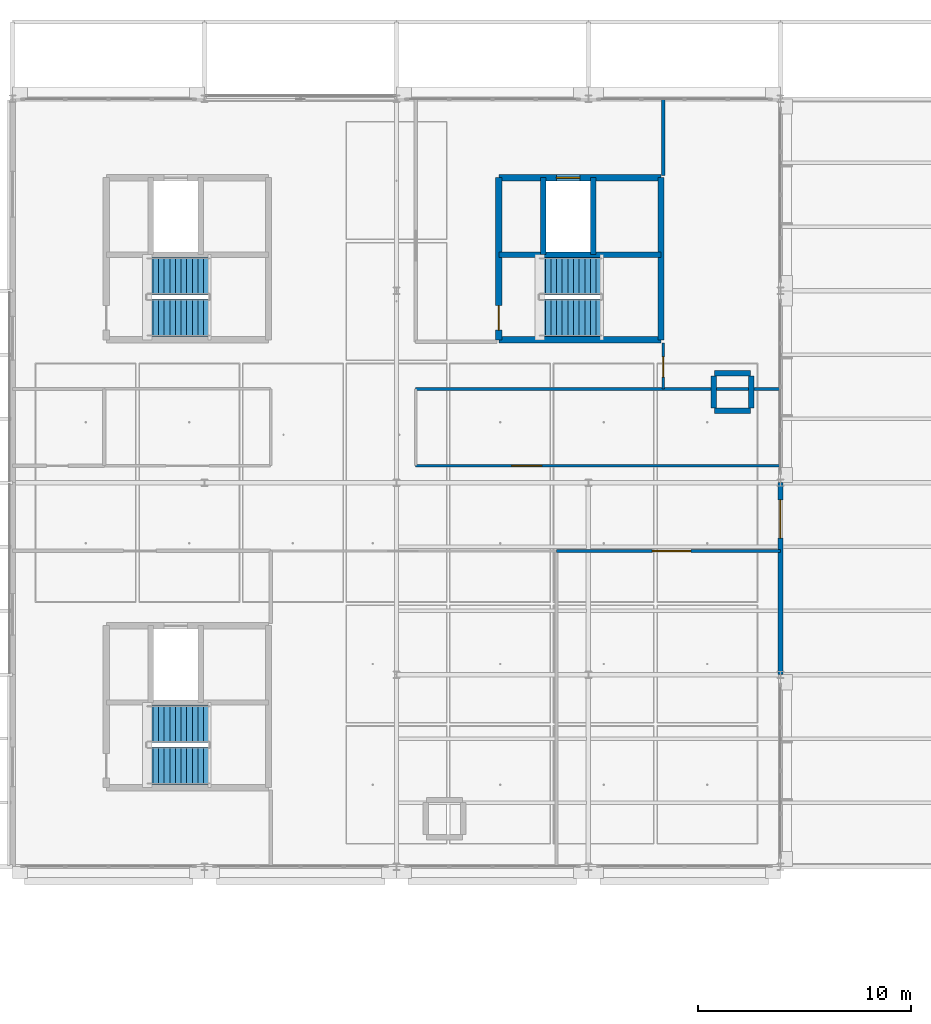
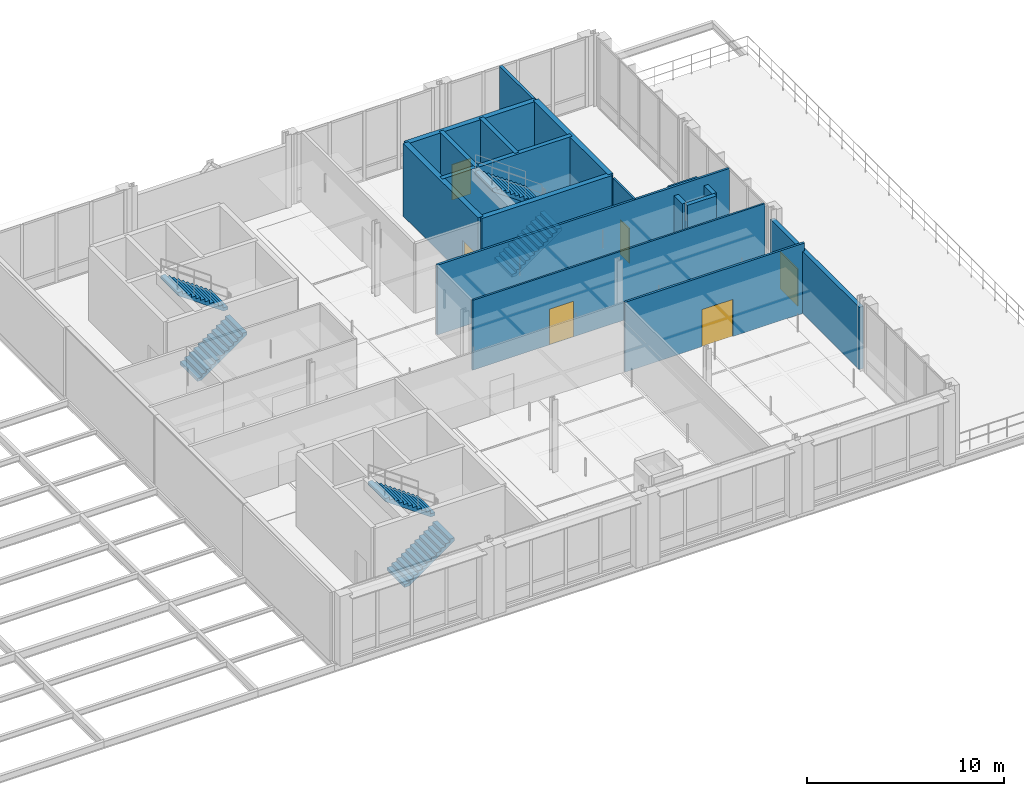
# One storey, part 46 of 66: 17 walls, 6 doors, 6 stair flights, 6 openings, 3 elements without a shape of their own.
"""IFC4 building model written with IfcOpenShell, lengths in metres."""

from ifc_helpers import new_model, si_unit, direction, frame, frame_2d, origin, place, context, subcontext, project, spatial, polyline, rectangle, outline, extrude, material, layer, layer_set, type_object, element, fill, aggregate, save


model = new_model("IFC4")

# Units and contexts
model_context = context("Model", 3, precision=1e-05, world=origin(), true_north=direction((0.0, 1.0)))
body_context = subcontext(model_context, "Body", "Model", "MODEL_VIEW")
ifc_project = project(units=[si_unit("LENGTHUNIT", "METRE"), si_unit("AREAUNIT", "SQUARE_METRE"), si_unit("VOLUMEUNIT", "CUBIC_METRE"), si_unit("PLANEANGLEUNIT", "RADIAN"), si_unit("MASSUNIT", "GRAM", prefix="KILO"), si_unit("THERMODYNAMICTEMPERATUREUNIT", "KELVIN"), si_unit("POWERUNIT", "WATT")], contexts=[model_context])

# Site, building, storey
site_placement = place(None, origin())
site = spatial("IfcSite", under=ifc_project, at=site_placement, CompositionType="ELEMENT")
building_placement = place(site_placement, origin())
building = spatial("IfcBuilding", under=site, at=building_placement, Name="Tallowbark Science Centre", CompositionType="ELEMENT")
storey_placement = place(building_placement, frame((0.0, 0.0, 18.89990234375)))
storey = spatial("IfcBuildingStorey", under=building, at=storey_placement, Name="L04", CompositionType="ELEMENT", Elevation=18.89990234375)

# Wall, opening, door
ifc_material_1 = material(Name="Insulated Precast Concrete Panel Grade N40 (40 MPa)", Category="concrete")
ifc_layer_1 = layer(ifc_material_1, 0.25)
ifc_layer_set_1 = layer_set([ifc_layer_1], Name="Insulated Precast Concrete Panel Grade N40 (40 MPa)")
wall_type_1 = type_object("IfcWallType", Name="EWL-PRC-250", PredefinedType="STANDARD", material=ifc_layer_set_1)
wall_1_placement = place(storey_placement, frame((148.5, 81.0, 0.0), z_axis=(0.0, 0.0, 1.0), x_axis=(0.0, 1.0, 0.0)))
wall_1 = element("IfcWall", 1, at=wall_1_placement, inside=storey, type_object=wall_type_1, Name="Exterior Wall OBS4-E-TER", PredefinedType="STANDARD", context=body_context, shape_type="SweptSolid", body=[
    extrude(rectangle(XDim=9.0, YDim=0.25, at=frame_2d((4.5, 0.0))), origin(), (0.0, 0.0, 1.0), 3.84619140625),
])
opening_1_placement = place(wall_1_placement, frame((6.39990234375, 0.0, 0.0)))
opening_1 = element("IfcOpeningElement", 2, at=opening_1_placement, cuts=wall_1, Name="Opening ED-04", PredefinedType="OPENING", context=body_context, shape_type="SweptSolid", body=[
    extrude(rectangle(XDim=1.800048828125, YDim=2.300048828125, at=frame_2d((0.89990234375, 1.14990234375))), frame((0.0, 0.135009765625, 0.0), z_axis=(0.0, -1.0, 0.0), x_axis=(1.0, 0.0, 0.0)), (0.0, 0.0, 1.0), 0.27001953125),
])
ifc_material_2 = material(Name="Thermally Broken Glazed Aluminium Frame", Category="aluminium")
door_type_1 = type_object("IfcDoorType", Name="EDR-TER-180", OperationType="DOUBLE_DOOR_SINGLE_SWING", PredefinedType="DOOR", material=ifc_material_2)
door_1_placement = place(opening_1_placement, origin())
door_1 = element("IfcDoor", 3, at=door_1_placement, inside=storey, type_object=door_type_1, Name="Exterior Door EDR-L04-036", OperationType="DOUBLE_DOOR_SINGLE_SWING", OverallHeight=2.300048828125, OverallWidth=1.800048828125, PredefinedType="DOOR", context=body_context, shape_type="SweptSolid", body=[
    extrude(rectangle(XDim=1.800048828125, YDim=2.300048828125, at=frame_2d((0.89990234375, 1.14990234375))), frame((0.0, 0.02490234375, 0.0), z_axis=(0.0, -1.0, 0.0), x_axis=(1.0, 0.0, 0.0)), (0.0, 0.0, 1.0), 0.050048828125),
])
fill(opening_1, door_1)

ifc_material_3 = material(Name="116 mm Acoustic Steel Stud and 16 mm Fire-Rated Plasterboard", Category="steel")
ifc_layer_2 = layer(ifc_material_3, 0.115966796875)
ifc_layer_set_2 = layer_set([ifc_layer_2], Name="116 mm Acoustic Steel Stud and 16 mm Fire-Rated Plasterboard")
wall_type_2 = type_object("IfcWallType", Name="PTW-116", PredefinedType="PARTITIONING", material=ifc_layer_set_2)
wall_2_placement = place(storey_placement, frame((143.0, 94.39990234375, 0.0), z_axis=(0.0, 0.0, 1.0), x_axis=(0.0, 1.0, 0.0)))
wall_2 = element("IfcWall", 4, at=wall_2_placement, inside=storey, type_object=wall_type_2, Name="Interior Partition PTW-L04-0303", PredefinedType="PARTITIONING", context=body_context, shape_type="SweptSolid", body=[
    extrude(rectangle(XDim=2.150146484375, YDim=0.115966796875, at=frame_2d((1.0751953125, 0.0))), origin(), (0.0, 0.0, 1.0), 4.320068359375),
])
opening_2_placement = place(wall_2_placement, frame((0.550048828125, 0.0, 0.0)))
opening_2 = element("IfcOpeningElement", 5, at=opening_2_placement, cuts=wall_2, Name="Opening ID-04", PredefinedType="OPENING", context=body_context, shape_type="SweptSolid", body=[
    extrude(rectangle(XDim=0.949951171875, YDim=2.14990234375, at=frame_2d((0.47509765625, 1.074951171875))), frame((0.0, 0.06787109375, 0.0), z_axis=(0.0, -1.0, 0.0), x_axis=(1.0, 0.0, 0.0)), (0.0, 0.0, 1.0), 0.135986328125),
])
ifc_material_4 = material(Name="Solid-Core Timber Veneer Leaf", Category="wood")
door_type_2 = type_object("IfcDoorType", Name="IDR-OFF-095", OperationType="NOTDEFINED", PredefinedType="DOOR", material=ifc_material_4)
door_2_placement = place(opening_2_placement, origin())
door_2 = element("IfcDoor", 6, at=door_2_placement, inside=storey, type_object=door_type_2, Name="Interior Door IDR-L04-0136", OperationType="SINGLE_SWING_RIGHT", OverallHeight=2.14990234375, OverallWidth=0.949951171875, PredefinedType="DOOR", context=body_context, shape_type="SweptSolid", body=[
    extrude(rectangle(XDim=0.949951171875, YDim=2.14990234375, at=frame_2d((0.47509765625, 1.074951171875))), frame((0.0, 0.02490234375, 0.0), z_axis=(0.0, -1.0, 0.0), x_axis=(1.0, 0.0, 0.0)), (0.0, 0.0, 1.0), 0.050048828125),
])
fill(opening_2, door_2)

ifc_material_5 = material(Name="132 mm Acoustic Laboratory Steel Stud Partition", Category="steel")
ifc_layer_3 = layer(ifc_material_5, 0.132080078125)
ifc_layer_set_3 = layer_set([ifc_layer_3], Name="132 mm Acoustic Laboratory Steel Stud Partition")
wall_type_3 = type_object("IfcWallType", Name="PTW-132", PredefinedType="PARTITIONING", material=ifc_layer_set_3)
wall_3_placement = place(storey_placement, frame((138.0, 86.800048828125, 0.0), z_axis=(0.0, 0.0, 1.0), x_axis=(1.0, 0.0, 0.0)))
wall_3 = element("IfcWall", 7, at=wall_3_placement, inside=storey, type_object=wall_type_3, Name="Interior Partition PTW-L04-0299", PredefinedType="PARTITIONING", context=body_context, shape_type="SweptSolid", body=[
    extrude(rectangle(XDim=10.5, YDim=0.132080078125, at=frame_2d((5.25, 0.0))), origin(), (0.0, 0.0, 1.0), 4.320068359375),
])
opening_3_placement = place(wall_3_placement, frame((4.5, 0.0, 0.0)))
opening_3 = element("IfcOpeningElement", 8, at=opening_3_placement, cuts=wall_3, Name="Opening ID-03", PredefinedType="OPENING", context=body_context, shape_type="SweptSolid", body=[
    extrude(rectangle(XDim=1.800048828125, YDim=2.300048828125, at=frame_2d((0.89990234375, 1.14990234375))), frame((0.0, 0.076171875, 0.0), z_axis=(0.0, -1.0, 0.0), x_axis=(1.0, 0.0, 0.0)), (0.0, 0.0, 1.0), 0.152099609375),
])
ifc_material_6 = material(Name="Acoustic Sound-Lock Theatre Pair")
door_type_3 = type_object("IfcDoorType", Name="IDR-AUD-180", OperationType="DOUBLE_DOOR_SINGLE_SWING", PredefinedType="DOOR", material=ifc_material_6)
door_3_placement = place(opening_3_placement, origin())
door_3 = element("IfcDoor", 9, at=door_3_placement, inside=storey, type_object=door_type_3, Name="Interior Door IDR-L04-0134", OperationType="DOUBLE_DOOR_SINGLE_SWING", OverallHeight=2.300048828125, OverallWidth=1.800048828125, PredefinedType="DOOR", context=body_context, shape_type="SweptSolid", body=[
    extrude(rectangle(XDim=1.800048828125, YDim=2.300048828125, at=frame_2d((0.89990234375, 1.14990234375))), frame((0.0, 0.02490234375, 0.0), z_axis=(0.0, -1.0, 0.0), x_axis=(1.0, 0.0, 0.0)), (0.0, 0.0, 1.0), 0.050048828125),
])
fill(opening_3, door_3)

# Walls
wall_4_placement = place(storey_placement, frame((131.39990234375, 94.39990234375, 0.0), z_axis=(0.0, 0.0, 1.0), x_axis=(1.0, 0.0, 0.0)))
element("IfcWall", 10, at=wall_4_placement, inside=storey, type_object=wall_type_3, Name="Interior Partition PTW-L04-0302", PredefinedType="PARTITIONING", context=body_context, shape_type="SweptSolid", body=[
    extrude(rectangle(XDim=17.10009765625, YDim=0.132080078125, at=frame_2d((8.550048828125, 0.0))), origin(), (0.0, 0.0, 1.0), 4.320068359375),
])
ifc_material_7 = material(Name="162 mm Double-Stud Fire-Rated Corridor Partition")
ifc_layer_4 = layer(ifc_material_7, 0.162109375)
ifc_layer_set_4 = layer_set([ifc_layer_4], Name="162 mm Double-Stud Fire-Rated Corridor Partition")
wall_type_4 = type_object("IfcWallType", Name="PTW-162", PredefinedType="PARTITIONING", material=ifc_layer_set_4)
wall_5_placement = place(storey_placement, frame((143.0, 104.39990234375, 0.0), z_axis=(0.0, 0.0, 1.0), x_axis=(0.0, 1.0, 0.0)))
element("IfcWall", 11, at=wall_5_placement, inside=storey, type_object=wall_type_4, Name="Interior Partition PTW-L04-0049", PredefinedType="PARTITIONING", context=body_context, shape_type="SweptSolid", body=[
    extrude(rectangle(XDim=3.60009765625, YDim=0.162109375, at=frame_2d((1.800048828125, 0.0))), origin(), (0.0, 0.0, 1.0), 4.320068359375),
])

# Wall, opening, door
ifc_material_8 = material(Name="108 mm Acoustic Double-Glazed Laboratory Partition")
ifc_layer_5 = layer(ifc_material_8, 0.10791015625)
ifc_layer_set_5 = layer_set([ifc_layer_5], Name="108 mm Acoustic Double-Glazed Laboratory Partition")
wall_type_5 = type_object("IfcWallType", Name="PTW-GLZ-108", PredefinedType="PARTITIONING", material=ifc_layer_set_5)
wall_6_placement = place(storey_placement, frame((131.39990234375, 90.800048828125, 0.0), z_axis=(0.0, 0.0, 1.0), x_axis=(1.0, 0.0, 0.0)))
wall_6 = element("IfcWall", 12, at=wall_6_placement, inside=storey, type_object=wall_type_5, Name="Interior Partition PTW-L04-0300", PredefinedType="PARTITIONING", context=body_context, shape_type="SweptSolid", body=[
    extrude(rectangle(XDim=17.10009765625, YDim=0.10791015625, at=frame_2d((8.550048828125, 0.0))), origin(), (0.0, 0.0, 1.0), 4.320068359375),
])
opening_4_placement = place(wall_6_placement, frame((4.5, 0.0, 0.0)))
opening_4 = element("IfcOpeningElement", 13, at=opening_4_placement, cuts=wall_6, Name="Opening ID-01", PredefinedType="OPENING", context=body_context, shape_type="SweptSolid", body=[
    extrude(rectangle(XDim=1.39990234375, YDim=2.199951171875, at=frame_2d((0.699951171875, 1.10009765625))), frame((0.0, 0.06396484375, 0.0), z_axis=(0.0, -1.0, 0.0), x_axis=(1.0, 0.0, 0.0)), (0.0, 0.0, 1.0), 0.1279296875),
])
ifc_material_9 = material(Name="Vision-Panel Leaf and Unequal Side Leaf")
door_type_4 = type_object("IfcDoorType", Name="IDR-LAB-140", OperationType="DOUBLE_DOOR_SINGLE_SWING", PredefinedType="DOOR", material=ifc_material_9)
door_4_placement = place(opening_4_placement, origin())
door_4 = element("IfcDoor", 14, at=door_4_placement, inside=storey, type_object=door_type_4, Name="Interior Door IDR-L04-0135", OperationType="DOUBLE_DOOR_SINGLE_SWING", OverallHeight=2.199951171875, OverallWidth=1.39990234375, PredefinedType="DOOR", context=body_context, shape_type="SweptSolid", body=[
    extrude(rectangle(XDim=1.39990234375, YDim=2.199951171875, at=frame_2d((0.699951171875, 1.10009765625))), frame((0.0, 0.02490234375, 0.0), z_axis=(0.0, -1.0, 0.0), x_axis=(1.0, 0.0, 0.0)), (0.0, 0.0, 1.0), 0.050048828125),
])
fill(opening_4, door_4)

ifc_material_10 = material(Name="Concrete Grade N40 (40 MPa)", Category="concrete")
ifc_layer_6 = layer(ifc_material_10, 0.300048828125)
ifc_layer_set_6 = layer_set([ifc_layer_6], Name="Concrete Grade N40 (40 MPa)")
wall_type_6 = type_object("IfcWallType", Name="WL-CORE-300", PredefinedType="SHEAR", material=ifc_layer_set_6)
wall_7_placement = place(storey_placement, frame((135.300048828125, 96.699951171875, 0.0), z_axis=(0.0, 0.0, 1.0), x_axis=(0.0, 1.0, 0.0)))
wall_7 = element("IfcWall", 15, at=wall_7_placement, inside=storey, type_object=wall_type_6, Name="Core C4 Shear Wall L04 W", PredefinedType="SHEAR", context=body_context, shape_type="SweptSolid", body=[
    extrude(rectangle(XDim=7.60009765625, YDim=0.300048828125, at=frame_2d((3.800048828125, 0.0))), origin(), (0.0, 0.0, 1.0), 4.5),
])
opening_5_placement = place(wall_7_placement, frame((0.449951171875, 0.0, 0.0)))
opening_5 = element("IfcOpeningElement", 16, at=opening_5_placement, cuts=wall_7, Name="Opening FD-01", PredefinedType="OPENING", context=body_context, shape_type="SweptSolid", body=[
    extrude(rectangle(XDim=1.14990234375, YDim=2.14990234375, at=frame_2d((0.574951171875, 1.074951171875))), frame((0.0, 0.16015625, 0.0), z_axis=(0.0, -1.0, 0.0), x_axis=(1.0, 0.0, 0.0)), (0.0, 0.0, 1.0), 0.320068359375),
])
ifc_material_11 = material(Name="Fire-Rated Pressed Steel Frame and Solid Core Leaf", Category="steel")
door_type_5 = type_object("IfcDoorType", Name="FDR-STR-115", OperationType="NOTDEFINED", PredefinedType="DOOR", material=ifc_material_11)
door_5_placement = place(opening_5_placement, origin())
door_5 = element("IfcDoor", 17, at=door_5_placement, inside=storey, type_object=door_type_5, Name="Stair ST-04 Fire Door L04", OperationType="SINGLE_SWING_RIGHT", OverallHeight=2.14990234375, OverallWidth=1.14990234375, PredefinedType="DOOR", context=body_context, shape_type="SweptSolid", body=[
    extrude(rectangle(XDim=1.14990234375, YDim=2.14990234375, at=frame_2d((0.574951171875, 1.074951171875))), frame((0.0, 0.02490234375, 0.0), z_axis=(0.0, -1.0, 0.0), x_axis=(1.0, 0.0, 0.0)), (0.0, 0.0, 1.0), 0.050048828125),
])
fill(opening_5, door_5)

# Walls
wall_8_placement = place(storey_placement, frame((142.89990234375, 96.699951171875, 0.0), z_axis=(0.0, 0.0, 1.0), x_axis=(0.0, 1.0, 0.0)))
element("IfcWall", 18, at=wall_8_placement, inside=storey, type_object=wall_type_6, Name="Core C4 Shear Wall L04 E", PredefinedType="SHEAR", context=body_context, shape_type="SweptSolid", body=[
    extrude(rectangle(XDim=7.60009765625, YDim=0.300048828125, at=frame_2d((3.800048828125, 0.0))), origin(), (0.0, 0.0, 1.0), 4.5),
])
wall_9_placement = place(storey_placement, frame((135.300048828125, 96.699951171875, 0.0), z_axis=(0.0, 0.0, 1.0), x_axis=(1.0, 0.0, 0.0)))
element("IfcWall", 19, at=wall_9_placement, inside=storey, type_object=wall_type_6, Name="Core C4 Shear Wall L04 S", PredefinedType="SHEAR", context=body_context, shape_type="SweptSolid", body=[
    extrude(rectangle(XDim=7.599853515625, YDim=0.300048828125, at=frame_2d((3.7998046875, 0.0))), origin(), (0.0, 0.0, 1.0), 4.5),
])

# Wall, opening, door
wall_10_placement = place(storey_placement, frame((135.300048828125, 104.300048828125, 0.0), z_axis=(0.0, 0.0, 1.0), x_axis=(1.0, 0.0, 0.0)))
wall_10 = element("IfcWall", 20, at=wall_10_placement, inside=storey, type_object=wall_type_6, Name="Core C4 Shear Wall L04 N", PredefinedType="SHEAR", context=body_context, shape_type="SweptSolid", body=[
    extrude(rectangle(XDim=7.599853515625, YDim=0.300048828125, at=frame_2d((3.7998046875, 0.0))), origin(), (0.0, 0.0, 1.0), 4.5),
])
opening_6_placement = place(wall_10_placement, frame((2.699951171875, 0.0, 0.0)))
opening_6 = element("IfcOpeningElement", 21, at=opening_6_placement, cuts=wall_10, Name="Opening LD-01", PredefinedType="OPENING", context=body_context, shape_type="SweptSolid", body=[
    extrude(rectangle(XDim=1.10009765625, YDim=2.199951171875, at=frame_2d((0.550048828125, 1.10009765625))), frame((0.0, 0.16015625, 0.0), z_axis=(0.0, -1.0, 0.0), x_axis=(1.0, 0.0, 0.0)), (0.0, 0.0, 1.0), 0.320068359375),
])
ifc_material_12 = material(Name="Brushed Stainless Steel Centre-Parting Lift Landing Door", Category="steel")
door_type_6 = type_object("IfcDoorType", Name="LDR-LFT-110", OperationType="DOUBLE_DOOR_SLIDING", PredefinedType="DOOR", material=ifc_material_12)
door_6_placement = place(opening_6_placement, origin())
door_6 = element("IfcDoor", 22, at=door_6_placement, inside=storey, type_object=door_type_6, Name="Lift LF-03 Landing Door L04", OperationType="DOUBLE_DOOR_SLIDING", OverallHeight=2.199951171875, OverallWidth=1.10009765625, PredefinedType="DOOR", context=body_context, shape_type="SweptSolid", body=[
    extrude(rectangle(XDim=1.10009765625, YDim=2.199951171875, at=frame_2d((0.550048828125, 1.10009765625))), frame((0.0, 0.02490234375, 0.0), z_axis=(0.0, -1.0, 0.0), x_axis=(1.0, 0.0, 0.0)), (0.0, 0.0, 1.0), 0.050048828125),
])
fill(opening_6, door_6)

# Walls
ifc_layer_7 = layer(ifc_material_10, 0.25)
ifc_layer_set_7 = layer_set([ifc_layer_7], Name="Concrete Grade N40 (40 MPa)")
wall_type_7 = type_object("IfcWallType", Name="WL-SHAFT-250", PredefinedType="SHEAR", material=ifc_layer_set_7)
wall_11_placement = place(storey_placement, frame((135.300048828125, 100.695068359375, 0.0), z_axis=(0.0, 0.0, 1.0), x_axis=(1.0, 0.0, 0.0)))
element("IfcWall", 23, at=wall_11_placement, inside=storey, type_object=wall_type_7, Name="Core C4 Shear Wall L04 MID", PredefinedType="SHEAR", context=body_context, shape_type="SweptSolid", body=[
    extrude(rectangle(XDim=7.599853515625, YDim=0.25, at=frame_2d((3.7998046875, 0.0))), origin(), (0.0, 0.0, 1.0), 4.5),
])
for number, where, z_axis, x_axis, name in (
    (24, (137.375, 100.695068359375, 0.0), (0.0, 0.0, 1.0), (0.0, 1.0, 0.0), "Core C4 Shear Wall L04 LW"),
    (25, (139.72509765625, 100.695068359375, 0.0), (0.0, 0.0, 1.0), (0.0, 1.0, 0.0), "Core C4 Shear Wall L04 LE"),
):
    element("IfcWall", number, at=place(storey_placement, frame(where, z_axis=z_axis, x_axis=x_axis)), inside=storey, type_object=wall_type_7, Name=name, PredefinedType="SHEAR", context=body_context, shape_type="SweptSolid", body=[
        extrude(rectangle(XDim=3.60498046875, YDim=0.25, at=frame_2d((1.802490234375, 0.0))), origin(), (0.0, 0.0, 1.0), 4.5),
    ])
for number, where, z_axis, x_axis, name in (
    (26, (145.39990234375, 93.375, 0.0), (0.0, 0.0, 1.0), (1.0, 0.0, 0.0), "Service Riser Shaft Wall RSR-OBS-N L04 S"),
    (27, (145.39990234375, 95.125, 0.0), (0.0, 0.0, 1.0), (1.0, 0.0, 0.0), "Service Riser Shaft Wall RSR-OBS-N L04 N"),
):
    element("IfcWall", number, at=place(storey_placement, frame(where, z_axis=z_axis, x_axis=x_axis)), inside=storey, type_object=wall_type_7, Name=name, PredefinedType="SHEAR", context=body_context, shape_type="SweptSolid", body=[
        extrude(rectangle(XDim=1.7001953125, YDim=0.25, at=frame_2d((0.85009765625, 0.0))), origin(), (0.0, 0.0, 1.0), 3.77001953125),
    ])
for number, where, z_axis, x_axis, name in (
    (28, (145.375, 93.5, 0.0), (0.0, 0.0, 1.0), (0.0, 1.0, 0.0), "Service Riser Shaft Wall RSR-OBS-N L04 W"),
    (29, (147.125, 93.5, 0.0), (0.0, 0.0, 1.0), (0.0, 1.0, 0.0), "Service Riser Shaft Wall RSR-OBS-N L04 E"),
):
    element("IfcWall", number, at=place(storey_placement, frame(where, z_axis=z_axis, x_axis=x_axis)), inside=storey, type_object=wall_type_7, Name=name, PredefinedType="SHEAR", context=body_context, shape_type="SweptSolid", body=[
        extrude(rectangle(XDim=1.5, YDim=0.25, at=frame_2d((0.75, 0.0))), origin(), (0.0, 0.0, 1.0), 3.77001953125),
    ])

# Stair, stair flights
stair_type_1 = type_object("IfcStairType", Name="STR-C2", PredefinedType="HALF_TURN_STAIR", material=ifc_material_10)
stair_1_placement = place(storey_placement, origin())
stair_1 = element("IfcStair", 30, at=stair_1_placement, inside=storey, type_object=stair_type_1, Name="L04 Fire Stair ST-02", PredefinedType="HALF_TURN_STAIR")
stair_flight_type_1 = type_object("IfcStairFlightType", Name="SFL-C2", PredefinedType="STRAIGHT", material=ifc_material_10)
stair_flight_1_placement = place(storey_placement, frame((118.81005859375, 76.72998046875, 0.0), z_axis=(0.0, 0.0, 1.0), x_axis=(1.0, 0.0, 0.0)))
stair_flight_1 = element("IfcStairFlight", 31, at=stair_flight_1_placement, type_object=stair_flight_type_1, Name="ST-02 flight 1", NumberOfRisers=12, NumberOfTreads=11, PredefinedType="STRAIGHT", RiserHeight=0.1875, TreadLength=0.265, context=body_context, shape_type="SweptSolid", body=[
    extrude(outline(polyline([(0.0, 0.0), (0.0, 0.1875), (0.264892578125, 0.1875), (0.264892578125, 0.375), (0.530029296875, 0.375), (0.530029296875, 0.5625), (0.794921875, 0.5625), (0.794921875, 0.75), (1.06005859375, 0.75), (1.06005859375, 0.9375), (1.324951171875, 0.9375), (1.324951171875, 1.125), (1.590087890625, 1.125), (1.590087890625, 1.3125), (1.85498046875, 1.3125), (1.85498046875, 1.5), (2.1201171875, 1.5), (2.1201171875, 1.6875), (2.385009765625, 1.6875), (2.385009765625, 1.875), (2.64990234375, 1.875), (2.64990234375, 2.0625), (2.9150390625, 2.0625), (2.9150390625, 2.25), (2.9150390625, 1.87890625), (0.259521484375, 0.0), (0.0, 0.0)])), frame((0.0, 0.8798828125, 0.0), z_axis=(0.0, -1.0, 0.0), x_axis=(1.0, 0.0, 0.0)), (0.0, 0.0, 1.0), 1.760009765625),
])
stair_flight_2_placement = place(storey_placement, frame((121.72509765625, 78.68994140625, 2.25), z_axis=(0.0, 0.0, 1.0), x_axis=(-1.0, 0.0, 0.0)))
stair_flight_2 = element("IfcStairFlight", 32, at=stair_flight_2_placement, type_object=stair_flight_type_1, Name="ST-02 flight 2", NumberOfRisers=12, NumberOfTreads=11, PredefinedType="STRAIGHT", RiserHeight=0.1875, TreadLength=0.265, context=body_context, shape_type="SweptSolid", body=[
    extrude(outline(polyline([(0.0, 0.0), (0.0, 0.1875), (0.264892578125, 0.1875), (0.264892578125, 0.375), (0.530029296875, 0.375), (0.530029296875, 0.5625), (0.794921875, 0.5625), (0.794921875, 0.75), (1.06005859375, 0.75), (1.06005859375, 0.9375), (1.324951171875, 0.9375), (1.324951171875, 1.125), (1.590087890625, 1.125), (1.590087890625, 1.3125), (1.85498046875, 1.3125), (1.85498046875, 1.5), (2.1201171875, 1.5), (2.1201171875, 1.6875), (2.385009765625, 1.6875), (2.385009765625, 1.875), (2.64990234375, 1.875), (2.64990234375, 2.0625), (2.9150390625, 2.0625), (2.9150390625, 2.25), (2.9150390625, 1.87890625), (0.259521484375, 0.0), (0.0, 0.0)])), frame((0.0, 0.8798828125, 0.0), z_axis=(0.0, -1.0, 0.0), x_axis=(1.0, 0.0, 0.0)), (0.0, 0.0, 1.0), 1.760009765625),
])
aggregate(stair_1, [stair_flight_1, stair_flight_2])

stair_type_2 = type_object("IfcStairType", Name="STR-C4", PredefinedType="HALF_TURN_STAIR", material=ifc_material_10)
stair_2_placement = place(storey_placement, origin())
stair_2 = element("IfcStair", 33, at=stair_2_placement, inside=storey, type_object=stair_type_2, Name="L04 Fire Stair ST-04", PredefinedType="HALF_TURN_STAIR")
stair_flight_type_2 = type_object("IfcStairFlightType", Name="SFL-C4", PredefinedType="STRAIGHT", material=ifc_material_10)
stair_flight_3_placement = place(storey_placement, frame((137.2099609375, 97.72998046875, 0.0), z_axis=(0.0, 0.0, 1.0), x_axis=(1.0, 0.0, 0.0)))
stair_flight_3 = element("IfcStairFlight", 34, at=stair_flight_3_placement, type_object=stair_flight_type_2, Name="ST-04 flight 1", NumberOfRisers=12, NumberOfTreads=11, PredefinedType="STRAIGHT", RiserHeight=0.1875, TreadLength=0.265, context=body_context, shape_type="SweptSolid", body=[
    extrude(outline(polyline([(0.0, 0.0), (0.0, 0.1875), (0.264892578125, 0.1875), (0.264892578125, 0.375), (0.530029296875, 0.375), (0.530029296875, 0.5625), (0.794921875, 0.5625), (0.794921875, 0.75), (1.06005859375, 0.75), (1.06005859375, 0.9375), (1.324951171875, 0.9375), (1.324951171875, 1.125), (1.590087890625, 1.125), (1.590087890625, 1.3125), (1.85498046875, 1.3125), (1.85498046875, 1.5), (2.1201171875, 1.5), (2.1201171875, 1.6875), (2.385009765625, 1.6875), (2.385009765625, 1.875), (2.64990234375, 1.875), (2.64990234375, 2.0625), (2.9150390625, 2.0625), (2.9150390625, 2.25), (2.9150390625, 1.87890625), (0.259521484375, 0.0), (0.0, 0.0)])), frame((0.0, 0.8798828125, 0.0), z_axis=(0.0, -1.0, 0.0), x_axis=(1.0, 0.0, 0.0)), (0.0, 0.0, 1.0), 1.760009765625),
])
stair_flight_4_placement = place(storey_placement, frame((140.125, 99.68994140625, 2.25), z_axis=(0.0, 0.0, 1.0), x_axis=(-1.0, 0.0, 0.0)))
stair_flight_4 = element("IfcStairFlight", 35, at=stair_flight_4_placement, type_object=stair_flight_type_2, Name="ST-04 flight 2", NumberOfRisers=12, NumberOfTreads=11, PredefinedType="STRAIGHT", RiserHeight=0.1875, TreadLength=0.265, context=body_context, shape_type="SweptSolid", body=[
    extrude(outline(polyline([(0.0, 0.0), (0.0, 0.1875), (0.264892578125, 0.1875), (0.264892578125, 0.375), (0.530029296875, 0.375), (0.530029296875, 0.5625), (0.794921875, 0.5625), (0.794921875, 0.75), (1.06005859375, 0.75), (1.06005859375, 0.9375), (1.324951171875, 0.9375), (1.324951171875, 1.125), (1.590087890625, 1.125), (1.590087890625, 1.3125), (1.85498046875, 1.3125), (1.85498046875, 1.5), (2.1201171875, 1.5), (2.1201171875, 1.6875), (2.385009765625, 1.6875), (2.385009765625, 1.875), (2.64990234375, 1.875), (2.64990234375, 2.0625), (2.9150390625, 2.0625), (2.9150390625, 2.25), (2.9150390625, 1.87890625), (0.259521484375, 0.0), (0.0, 0.0)])), frame((0.0, 0.8798828125, 0.0), z_axis=(0.0, -1.0, 0.0), x_axis=(1.0, 0.0, 0.0)), (0.0, 0.0, 1.0), 1.760009765625),
])
aggregate(stair_2, [stair_flight_3, stair_flight_4])

stair_type_3 = type_object("IfcStairType", Name="STR-C5", PredefinedType="HALF_TURN_STAIR", material=ifc_material_10)
stair_3_placement = place(storey_placement, origin())
stair_3 = element("IfcStair", 36, at=stair_3_placement, inside=storey, type_object=stair_type_3, Name="L04 Fire Stair ST-05", PredefinedType="HALF_TURN_STAIR")
stair_flight_type_3 = type_object("IfcStairFlightType", Name="SFL-C5", PredefinedType="STRAIGHT", material=ifc_material_10)
stair_flight_5_placement = place(storey_placement, frame((118.81005859375, 97.72998046875, 0.0), z_axis=(0.0, 0.0, 1.0), x_axis=(1.0, 0.0, 0.0)))
stair_flight_5 = element("IfcStairFlight", 37, at=stair_flight_5_placement, type_object=stair_flight_type_3, Name="ST-05 flight 1", NumberOfRisers=12, NumberOfTreads=11, PredefinedType="STRAIGHT", RiserHeight=0.1875, TreadLength=0.265, context=body_context, shape_type="SweptSolid", body=[
    extrude(outline(polyline([(0.0, 0.0), (0.0, 0.1875), (0.264892578125, 0.1875), (0.264892578125, 0.375), (0.530029296875, 0.375), (0.530029296875, 0.5625), (0.794921875, 0.5625), (0.794921875, 0.75), (1.06005859375, 0.75), (1.06005859375, 0.9375), (1.324951171875, 0.9375), (1.324951171875, 1.125), (1.590087890625, 1.125), (1.590087890625, 1.3125), (1.85498046875, 1.3125), (1.85498046875, 1.5), (2.1201171875, 1.5), (2.1201171875, 1.6875), (2.385009765625, 1.6875), (2.385009765625, 1.875), (2.64990234375, 1.875), (2.64990234375, 2.0625), (2.9150390625, 2.0625), (2.9150390625, 2.25), (2.9150390625, 1.87890625), (0.259521484375, 0.0), (0.0, 0.0)])), frame((0.0, 0.8798828125, 0.0), z_axis=(0.0, -1.0, 0.0), x_axis=(1.0, 0.0, 0.0)), (0.0, 0.0, 1.0), 1.760009765625),
])
stair_flight_6_placement = place(storey_placement, frame((121.72509765625, 99.68994140625, 2.25), z_axis=(0.0, 0.0, 1.0), x_axis=(-1.0, 0.0, 0.0)))
stair_flight_6 = element("IfcStairFlight", 38, at=stair_flight_6_placement, type_object=stair_flight_type_3, Name="ST-05 flight 2", NumberOfRisers=12, NumberOfTreads=11, PredefinedType="STRAIGHT", RiserHeight=0.1875, TreadLength=0.265, context=body_context, shape_type="SweptSolid", body=[
    extrude(outline(polyline([(0.0, 0.0), (0.0, 0.1875), (0.264892578125, 0.1875), (0.264892578125, 0.375), (0.530029296875, 0.375), (0.530029296875, 0.5625), (0.794921875, 0.5625), (0.794921875, 0.75), (1.06005859375, 0.75), (1.06005859375, 0.9375), (1.324951171875, 0.9375), (1.324951171875, 1.125), (1.590087890625, 1.125), (1.590087890625, 1.3125), (1.85498046875, 1.3125), (1.85498046875, 1.5), (2.1201171875, 1.5), (2.1201171875, 1.6875), (2.385009765625, 1.6875), (2.385009765625, 1.875), (2.64990234375, 1.875), (2.64990234375, 2.0625), (2.9150390625, 2.0625), (2.9150390625, 2.25), (2.9150390625, 1.87890625), (0.259521484375, 0.0), (0.0, 0.0)])), frame((0.0, 0.8798828125, 0.0), z_axis=(0.0, -1.0, 0.0), x_axis=(1.0, 0.0, 0.0)), (0.0, 0.0, 1.0), 1.760009765625),
])
aggregate(stair_3, [stair_flight_5, stair_flight_6])

save(model, "model.ifc")
